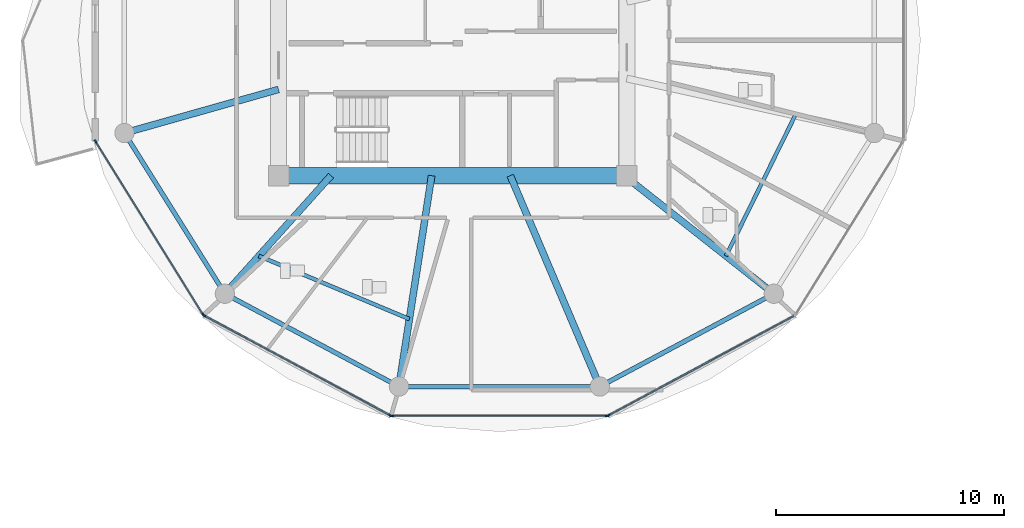
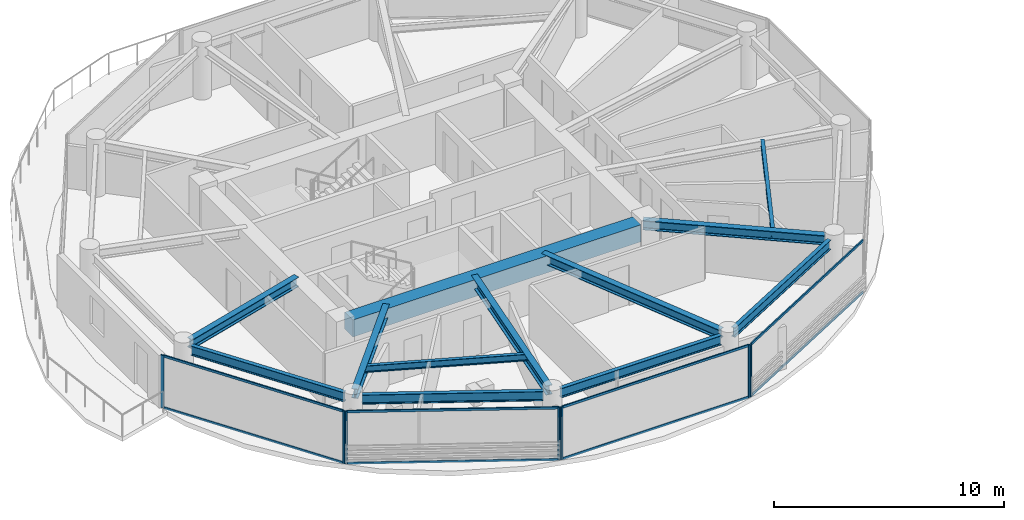
# One storey, part 2 of 25: 15 members, 12 beams, 4 elements without a shape of their own.
"""IFC4 building model written with IfcOpenShell, lengths in metres."""

import ifcopenshell
import ifcopenshell.guid

model = None  # the IFC model being written
_history = None  # IfcOwnerHistory: only IFC2X3 demands one
_inside = {}  # id of a spatial element -> (the spatial element, [elements in it])
_under = {}  # id of a project, library or spatial element -> (it, [spatial elements below it])
_declared = {}  # id of a project -> (the project, [libraries it declares])
_typed = {}  # id of a type object -> (the type object, [elements of that type])
_made_of = {}  # id of a material, layer set ... -> (it, [elements and type objects made of it])


def new_model(schema):
    """Start an empty IFC model of exactly this schema.

    Asked for "IFC4X3", IfcOpenShell would pick the latest addendum, in which some entities
    have other attributes; the version numbers below select the first issue.
    IFC2X3 requires an IfcOwnerHistory on every rooted entity: one is made here for all.
    """
    global model, _history
    if schema == "IFC4X3":
        model = ifcopenshell.file(schema_version=(4, 3, 0, 0))
    else:
        model = ifcopenshell.file(schema=schema)
    _inside.clear()
    _under.clear()
    _declared.clear()
    _typed.clear()
    _made_of.clear()
    _history = None
    if model.schema == "IFC2X3":
        org = make("IfcOrganization", Name="unknown")
        user = make(
            "IfcPersonAndOrganization",
            ThePerson=make("IfcPerson", FamilyName="unknown"),
            TheOrganization=org,
        )
        app = make(
            "IfcApplication",
            ApplicationDeveloper=org,
            Version="unknown",
            ApplicationFullName="unknown",
            ApplicationIdentifier="unknown",
        )
        _history = make(
            "IfcOwnerHistory",
            OwningUser=user,
            OwningApplication=app,
            ChangeAction="ADDED",
            CreationDate=0,
        )
    return model


def make(cls, **values):
    """One entity of the class cls with the attributes given. An attribute that is None is left unset."""
    return model.create_entity(
        cls, **{name: value for name, value in values.items() if value is not None}
    )


def rooted(cls, **values):
    """An entity with a GlobalId (a new one), such as an element, a storey or a relation."""
    return make(cls, GlobalId=ifcopenshell.guid.new(), OwnerHistory=_history, **values)


def si_unit(unit_type, name, prefix=None):
    """IfcSIUnit, for example si_unit("LENGTHUNIT", "METRE", prefix="MILLI")."""
    return make("IfcSIUnit", UnitType=unit_type, Prefix=prefix, Name=name)


def assignment(units):
    """IfcUnitAssignment: the units of a project."""
    return None if units is None else make("IfcUnitAssignment", Units=units)


def point(xyz):
    """IfcCartesianPoint."""
    return None if xyz is None else make("IfcCartesianPoint", Coordinates=xyz)


def direction(xyz):
    """IfcDirection."""
    return None if xyz is None else make("IfcDirection", DirectionRatios=xyz)


def frame(location, z_axis=None, x_axis=None):
    """IfcAxis2Placement3D, a coordinate frame: its origin and axes. An axis left out is left unset."""
    return make(
        "IfcAxis2Placement3D",
        Location=point(location),
        Axis=direction(z_axis),
        RefDirection=direction(x_axis),
    )


def frame_2d(location, x_axis=None):
    """IfcAxis2Placement2D, a coordinate frame in the plane: its origin and x axis."""
    return make(
        "IfcAxis2Placement2D", Location=point(location), RefDirection=direction(x_axis)
    )


def origin():
    """The frame at (0, 0, 0) with its axes left unset."""
    return frame((0.0, 0.0, 0.0))


def origin_2d():
    """The frame at (0, 0) in the plane with its x axis left unset."""
    return frame_2d((0.0, 0.0))


def place(relative_to, where):
    """IfcLocalPlacement: puts the frame where relative to a parent placement (None: the world)."""
    return make(
        "IfcLocalPlacement", PlacementRelTo=relative_to, RelativePlacement=where
    )


def context(
    kind, dimensions, precision=None, world=None, true_north=None, identifier=None
):
    """IfcGeometricRepresentationContext, for example the 3D "Model" context."""
    return make(
        "IfcGeometricRepresentationContext",
        ContextIdentifier=identifier,
        ContextType=kind,
        CoordinateSpaceDimension=dimensions,
        Precision=precision,
        WorldCoordinateSystem=world,
        TrueNorth=true_north,
    )


def subcontext(parent, identifier, kind, view, scale=None):
    """IfcGeometricRepresentationSubContext, for example "Body" below "Model"."""
    return make(
        "IfcGeometricRepresentationSubContext",
        ContextIdentifier=identifier,
        ContextType=kind,
        ParentContext=parent,
        TargetScale=scale,
        TargetView=view,
    )


def project(units=None, contexts=None):
    """IfcProject with its units and contexts."""
    return rooted(
        "IfcProject",
        Name="project",
        RepresentationContexts=contexts,
        UnitsInContext=assignment(units),
    )


def spatial(cls, under=None, at=None, **own):
    """A site, building, storey or space (cls), placed at a placement, below another one or the project."""
    s = rooted(cls, ObjectPlacement=at, **own)
    if under is not None:
        _under.setdefault(under.id(), (under, []))[1].append(s)
    return s


def profile(cls, at=None, kind="AREA", **sizes):
    """A parametric profile (cls). Its sizes go by their IFC names, for example OverallWidth=200.0."""
    return make(cls, ProfileType=kind, Position=at, **sizes)


def rectangle(**sizes):
    """IfcRectangleProfileDef."""
    return profile("IfcRectangleProfileDef", **sizes)


def i_section(**sizes):
    """IfcIShapeProfileDef."""
    return profile("IfcIShapeProfileDef", **sizes)


def extrude(swept, where, along, depth):
    """IfcExtrudedAreaSolid: the profile swept, set in the frame where, extruded along a direction by depth."""
    return make(
        "IfcExtrudedAreaSolid",
        SweptArea=swept,
        Position=where,
        ExtrudedDirection=direction(along),
        Depth=depth,
    )


def shape(context_of_items, identifier, shape_type, items):
    """IfcShapeRepresentation: the items that make up one representation, for example the "Body"."""
    return make(
        "IfcShapeRepresentation",
        ContextOfItems=context_of_items,
        RepresentationIdentifier=identifier,
        RepresentationType=shape_type,
        Items=items,
    )


def source(mapping_origin, context_of_items, identifier, shape_type, items):
    """IfcRepresentationMap: a shape defined once, which mapped items show again and again."""
    return make(
        "IfcRepresentationMap",
        MappingOrigin=mapping_origin,
        MappedRepresentation=shape(context_of_items, identifier, shape_type, items),
    )


def transform(
    local_origin,
    x_axis=None,
    y_axis=None,
    z_axis=None,
    scale=None,
    scale2=None,
    scale3=None,
    uniform=True,
):
    """IfcCartesianTransformationOperator3D, or its non-uniform kind. x_axis, y_axis, z_axis: its Axis1, 2, 3."""
    if uniform:
        return make(
            "IfcCartesianTransformationOperator3D",
            Axis1=direction(x_axis),
            Axis2=direction(y_axis),
            LocalOrigin=point(local_origin),
            Scale=scale,
            Axis3=direction(z_axis),
        )
    return make(
        "IfcCartesianTransformationOperator3DnonUniform",
        Axis1=direction(x_axis),
        Axis2=direction(y_axis),
        LocalOrigin=point(local_origin),
        Scale=scale,
        Axis3=direction(z_axis),
        Scale2=scale2,
        Scale3=scale3,
    )


def mapped(mapping_source, mapping_target):
    """IfcMappedItem: shows the shape of a source again, moved by a transform."""
    return make(
        "IfcMappedItem", MappingSource=mapping_source, MappingTarget=mapping_target
    )


def material(Name=None, Category=None):
    """IfcMaterial."""
    return make("IfcMaterial", Name=Name, Category=Category)


def layer(
    of_material, thickness, ventilated=None, Name=None, Category=None, Priority=None
):
    """IfcMaterialLayer: one layer of a wall or slab, of a material (None: an air gap)."""
    return make(
        "IfcMaterialLayer",
        Material=of_material,
        LayerThickness=thickness,
        IsVentilated=ventilated,
        Name=Name,
        Category=Category,
        Priority=Priority,
    )


def layer_set(layers, Name=None):
    """IfcMaterialLayerSet."""
    return make("IfcMaterialLayerSet", MaterialLayers=layers, LayerSetName=Name)


def material_profile(
    of_material, cross_section, Name=None, Category=None, Priority=None
):
    """IfcMaterialProfile: a cross section and its material."""
    return make(
        "IfcMaterialProfile",
        Name=Name,
        Material=of_material,
        Profile=cross_section,
        Priority=Priority,
        Category=Category,
    )


def profile_set(profiles, Name=None, composite=None):
    """IfcMaterialProfileSet."""
    return make(
        "IfcMaterialProfileSet",
        Name=Name,
        MaterialProfiles=profiles,
        CompositeProfile=composite,
    )


def made_of(thing, what):
    """Note that an element or type object is made of a material, layer set ...; save() writes the relation."""
    if what is not None:
        _made_of.setdefault(what.id(), (what, []))[1].append(thing)
    return thing


def type_object(cls, material=None, **own):
    """A type object (cls), such as IfcWallType, which elements share."""
    return made_of(rooted(cls, **own), material)


def type_shapes(of_type, sources):
    """Give a type object the sources (RepresentationMaps) that its elements show as mapped items."""
    of_type.RepresentationMaps = sources


def element(
    cls,
    number,
    at=None,
    inside=None,
    cuts=None,
    type_object=None,
    material=None,
    context=None,
    identifier="Body",
    shape_type=None,
    held_by="IfcProductDefinitionShape",
    body=None,
    shapes=None,
    **own,
):
    """One element of the class cls, such as IfcWall. Its Tag is "e" and its number.

    at: its placement. inside: the storey or other place that contains it. cuts: it is an
    opening in that element (IfcRelVoidsElement). A single representation is given by context,
    identifier, shape_type and body (its items); several are given by shapes. held_by: the class
    of the entity that holds the representations. save() writes the other relations.
    """
    e = rooted(cls, Tag="e%d" % number, ObjectPlacement=at, **own)
    if body is not None:
        shapes = [shape(context, identifier, shape_type, body)]
    if shapes is not None:
        e.Representation = make(held_by, Representations=shapes)
    if inside is not None:
        _inside.setdefault(inside.id(), (inside, []))[1].append(e)
    if cuts is not None:
        rooted(
            "IfcRelVoidsElement", RelatingBuildingElement=cuts, RelatedOpeningElement=e
        )
    if type_object is not None:
        _typed.setdefault(type_object.id(), (type_object, []))[1].append(e)
    return made_of(e, material)


def aggregate(whole, parts):
    """IfcRelAggregates: a whole, such as a stair, and the parts it consists of."""
    return rooted("IfcRelAggregates", RelatingObject=whole, RelatedObjects=parts)


def save(model, path):
    """Write the relations noted so far, then the file.

    IfcRelAggregates (storeys below a building ...), IfcRelContainedInSpatialStructure (elements
    in a storey), IfcRelDefinesByType, IfcRelAssociatesMaterial and IfcRelDeclares: one each for
    every whole, place, type object, material and project.
    """
    for whole, parts in _under.values():
        aggregate(whole, parts)
    for where, things in _inside.values():
        rooted(
            "IfcRelContainedInSpatialStructure",
            RelatedElements=things,
            RelatingStructure=where,
        )
    for kind, things in _typed.values():
        rooted("IfcRelDefinesByType", RelatedObjects=things, RelatingType=kind)
    for what, things in _made_of.values():
        rooted("IfcRelAssociatesMaterial", RelatedObjects=things, RelatingMaterial=what)
    for by, libraries in _declared.values():
        rooted("IfcRelDeclares", RelatingContext=by, RelatedDefinitions=libraries)
    model.write(path)


model = new_model("IFC4")

# Units and contexts
model_context = context("Model", 3, precision=1e-05, world=origin(), true_north=direction((0.0, 1.0)))
body_context = subcontext(model_context, "Body", "Model", "MODEL_VIEW")
ifc_project = project(units=[si_unit("LENGTHUNIT", "METRE"), si_unit("AREAUNIT", "SQUARE_METRE"), si_unit("VOLUMEUNIT", "CUBIC_METRE"), si_unit("PLANEANGLEUNIT", "RADIAN"), si_unit("MASSUNIT", "GRAM", prefix="KILO")], contexts=[model_context])

# Site, building, storey
site_placement = place(None, origin())
site = spatial("IfcSite", under=ifc_project, at=site_placement, CompositionType="ELEMENT")
building_placement = place(site_placement, origin())
building = spatial("IfcBuilding", under=site, at=building_placement, Name="Norrkilde Senior Care Towers", CompositionType="ELEMENT")
storey_placement = place(building_placement, frame((0.0, 0.0, 84.050048828125)))
storey = spatial("IfcBuildingStorey", under=building, at=storey_placement, Name="L25", CompositionType="ELEMENT", Elevation=84.050048828125)

# Beams
ifc_material_1 = material(Name="Concrete C60/75", Category="concrete")
ifc_material_profile_1 = material_profile(ifc_material_1, rectangle(XDim=0.699951171875, YDim=0.89990234375, at=origin_2d()), Name="RC BM 700x900")
ifc_profile_set_1 = profile_set([ifc_material_profile_1], Name="Concrete C60/75")
beam_type_1 = type_object("IfcBeamType", Name="Core Coupling Girder 700x900", PredefinedType="USERDEFINED", material=ifc_profile_set_1)
shared_shape_1 = source(origin(), body_context, "Body", "SweptSolid", [
    extrude(rectangle(XDim=0.699951171875, YDim=0.89990234375, at=origin_2d()), origin(), (0.0, 0.0, 1.0), 14.43994140625),
])
type_shapes(beam_type_1, [shared_shape_1])
beam_1_placement = place(storey_placement, frame((-35.219970703125, -5.949951171875, 2.33984375), z_axis=(1.0, 0.0, 0.0), x_axis=(0.0, 1.0, 0.0)))
element("IfcBeam", 1, at=beam_1_placement, inside=storey, type_object=beam_type_1, Name="L25 Core W S Coupling Girder", ObjectType="GIRDER", PredefinedType="USERDEFINED", context=body_context, shape_type="MappedRepresentation", body=[
    mapped(shared_shape_1, transform((0.0, 0.0, 0.0), x_axis=(1.0, 0.0, 0.0), y_axis=(0.0, 1.0, 0.0), z_axis=(0.0, 0.0, 1.0), scale=1.0)),
])
ifc_material_2 = material(Name="Steel S355", Category="steel")
ifc_material_profile_2 = material_profile(ifc_material_2, i_section(OverallWidth=0.199951171875, OverallDepth=0.5, WebThickness=0.01025390625, FlangeThickness=0.01611328125, FilletRadius=0.02099609375, at=origin_2d()), Name="IPE 500")
ifc_profile_set_2 = profile_set([ifc_material_profile_2], Name="Steel S355")
beam_type_2 = type_object("IfcBeamType", Name="Perimeter Ring Spandrel Z2 IPE500", PredefinedType="SPANDREL", material=ifc_profile_set_2)
shared_shape_2 = source(origin(), body_context, "Body", "SweptSolid", [
    extrude(i_section(OverallWidth=0.199951171875, OverallDepth=0.5, WebThickness=0.01025390625, FlangeThickness=0.01611328125, FilletRadius=0.02099609375, at=origin_2d()), origin(), (0.0, 0.0, 1.0), 7.892333984375),
])
for number, where, z_axis, x_axis, name in (
    (2, (-37.66650390625, -11.318115234375, 2.5400390625), (0.882350372282, -0.47059305194, 0.0), (0.47059305194, 0.882350372282, 0.0), "L25 Drum W Perimeter Spandrel 08"),
    (3, (-21.197509765625, -15.0322265625, 2.5400390625), (0.882350372282, 0.47059305194, 0.0), (-0.47059305194, 0.882350372282, 0.0), "L25 Drum W Perimeter Spandrel 10"),
):
    element("IfcBeam", number, at=place(storey_placement, frame(where, z_axis=z_axis, x_axis=x_axis)), inside=storey, type_object=beam_type_2, Name=name, PredefinedType="SPANDREL", context=body_context, shape_type="MappedRepresentation", body=[
        mapped(shared_shape_2, transform((0.0, 0.0, 0.0), x_axis=(1.0, 0.0, 0.0), y_axis=(0.0, 1.0, 0.0), z_axis=(0.0, 0.0, 1.0), scale=1.0)),
    ])
ifc_material_profile_3 = material_profile(ifc_material_2, i_section(OverallWidth=0.300048828125, OverallDepth=0.5, WebThickness=0.014404296875, FlangeThickness=0.028076171875, FilletRadius=0.027099609375, at=origin_2d()), Name="HEB 500")
ifc_profile_set_3 = profile_set([ifc_material_profile_3], Name="Steel S355")
beam_type_3 = type_object("IfcBeamType", Name="Radial Floor Beam Z2 HEB500", PredefinedType="BEAM", material=ifc_profile_set_3)
shared_shape_3 = source(origin(), body_context, "Body", "SweptSolid", [
    extrude(i_section(OverallWidth=0.300048828125, OverallDepth=0.5, WebThickness=0.014404296875, FlangeThickness=0.028076171875, FilletRadius=0.027099609375, at=origin_2d()), origin(), (0.0, 0.0, 1.0), 7.985595703125),
])
beam_2_placement = place(storey_placement, frame((-20.463623046875, -5.949951171875, 2.5400390625), z_axis=(0.784858505144, -0.619675017169, 0.0), x_axis=(0.619675017169, 0.784858505144, 0.0)))
element("IfcBeam", 4, at=beam_2_placement, inside=storey, type_object=beam_type_3, Name="L25 Drum W Radial Floor Beam 11", PredefinedType="BEAM", context=body_context, shape_type="MappedRepresentation", body=[
    mapped(shared_shape_3, transform((0.0, 0.0, 0.0), x_axis=(1.0, 0.0, 0.0), y_axis=(0.0, 1.0, 0.0), z_axis=(0.0, 0.0, 1.0), scale=1.0)),
])
shared_shape_4 = source(origin(), body_context, "Body", "SweptSolid", [
    extrude(i_section(OverallWidth=0.199951171875, OverallDepth=0.5, WebThickness=0.01025390625, FlangeThickness=0.01611328125, FilletRadius=0.02099609375, at=origin_2d()), origin(), (0.0, 0.0, 1.0), 8.0556640625),
])
beam_3_placement = place(storey_placement, frame((-29.977783203125, -15.21337890625, 2.5400390625), z_axis=(1.0, 0.0, 0.0), x_axis=(0.0, 1.0, 0.0)))
element("IfcBeam", 5, at=beam_3_placement, inside=storey, type_object=beam_type_2, Name="L25 Drum W Perimeter Spandrel 09", PredefinedType="SPANDREL", context=body_context, shape_type="MappedRepresentation", body=[
    mapped(shared_shape_4, transform((0.0, 0.0, 0.0), x_axis=(1.0, 0.0, 0.0), y_axis=(0.0, 1.0, 0.0), z_axis=(0.0, 0.0, 1.0), scale=1.0)),
])
shared_shape_5 = source(origin(), body_context, "Body", "SweptSolid", [
    extrude(i_section(OverallWidth=0.300048828125, OverallDepth=0.5, WebThickness=0.014404296875, FlangeThickness=0.028076171875, FilletRadius=0.027099609375, at=origin_2d()), origin(), (0.0, 0.0, 1.0), 9.679443359375),
])
beam_4_placement = place(storey_placement, frame((-25.472412109375, -5.949951171875, 2.5400390625), z_axis=(0.390998033479, -0.920391513333, 0.0), x_axis=(0.920391513333, 0.390998033479, 0.0)))
element("IfcBeam", 6, at=beam_4_placement, inside=storey, type_object=beam_type_3, Name="L25 Drum W Radial Floor Beam 10", PredefinedType="BEAM", context=body_context, shape_type="MappedRepresentation", body=[
    mapped(shared_shape_5, transform((0.0, 0.0, 0.0), x_axis=(1.0, 0.0, 0.0), y_axis=(0.0, 1.0, 0.0), z_axis=(0.0, 0.0, 1.0), scale=1.0)),
])
shared_shape_6 = source(origin(), body_context, "Body", "SweptSolid", [
    extrude(i_section(OverallWidth=0.300048828125, OverallDepth=0.5, WebThickness=0.014404296875, FlangeThickness=0.028076171875, FilletRadius=0.027099609375, at=origin_2d()), origin(), (0.0, 0.0, 1.0), 8.989501953125),
])
beam_5_placement = place(storey_placement, frame((-28.924072265625, -5.949951171875, 2.5400390625), z_axis=(-0.153471298636, -0.988153105796, 0.0), x_axis=(0.988153105796, -0.153471298636, 0.0)))
element("IfcBeam", 7, at=beam_5_placement, inside=storey, type_object=beam_type_3, Name="L25 Drum W Radial Floor Beam 09", PredefinedType="BEAM", context=body_context, shape_type="MappedRepresentation", body=[
    mapped(shared_shape_6, transform((0.0, 0.0, 0.0), x_axis=(1.0, 0.0, 0.0), y_axis=(0.0, 1.0, 0.0), z_axis=(0.0, 0.0, 1.0), scale=1.0)),
])
shared_shape_7 = source(origin(), body_context, "Body", "SweptSolid", [
    extrude(i_section(OverallWidth=0.199951171875, OverallDepth=0.5, WebThickness=0.01025390625, FlangeThickness=0.01611328125, FilletRadius=0.02099609375, at=origin_2d()), origin(), (0.0, 0.0, 1.0), 7.556396484375),
])
type_shapes(beam_type_2, [shared_shape_2, shared_shape_4, shared_shape_7])
beam_6_placement = place(storey_placement, frame((-42.215087890625, -4.40283203125, 2.5400390625), z_axis=(0.530004748437, -0.847994673706, 0.0), x_axis=(0.847994673706, 0.530004748437, 0.0)))
element("IfcBeam", 8, at=beam_6_placement, inside=storey, type_object=beam_type_2, Name="L25 Drum W Perimeter Spandrel 07", PredefinedType="SPANDREL", context=body_context, shape_type="MappedRepresentation", body=[
    mapped(shared_shape_7, transform((0.0, 0.0, 0.0), x_axis=(1.0, 0.0, 0.0), y_axis=(0.0, 1.0, 0.0), z_axis=(0.0, 0.0, 1.0), scale=1.0)),
])
shared_shape_8 = source(origin(), body_context, "Body", "SweptSolid", [
    extrude(i_section(OverallWidth=0.300048828125, OverallDepth=0.5, WebThickness=0.014404296875, FlangeThickness=0.028076171875, FilletRadius=0.027099609375, at=origin_2d()), origin(), (0.0, 0.0, 1.0), 6.587890625),
])
beam_7_placement = place(storey_placement, frame((-33.345947265625, -5.949951171875, 2.5400390625), z_axis=(-0.668315438605, -0.743877997068, 0.0), x_axis=(0.743877997068, -0.668315438605, 0.0)))
element("IfcBeam", 9, at=beam_7_placement, inside=storey, type_object=beam_type_3, Name="L25 Drum W Radial Floor Beam 08", PredefinedType="BEAM", context=body_context, shape_type="MappedRepresentation", body=[
    mapped(shared_shape_8, transform((0.0, 0.0, 0.0), x_axis=(1.0, 0.0, 0.0), y_axis=(0.0, 1.0, 0.0), z_axis=(0.0, 0.0, 1.0), scale=1.0)),
])
shared_shape_9 = source(origin(), body_context, "Body", "SweptSolid", [
    extrude(i_section(OverallWidth=0.300048828125, OverallDepth=0.5, WebThickness=0.014404296875, FlangeThickness=0.028076171875, FilletRadius=0.027099609375, at=origin_2d()), origin(), (0.0, 0.0, 1.0), 6.6494140625),
])
type_shapes(beam_type_3, [shared_shape_3, shared_shape_5, shared_shape_6, shared_shape_8, shared_shape_9])
beam_8_placement = place(storey_placement, frame((-35.64990234375, -2.162841796875, 2.5400390625), z_axis=(-0.962289138357, -0.27202870106, 0.0), x_axis=(0.27202870106, -0.962289138357, 0.0)))
element("IfcBeam", 10, at=beam_8_placement, inside=storey, type_object=beam_type_3, Name="L25 Drum W Radial Floor Beam 07", PredefinedType="BEAM", context=body_context, shape_type="MappedRepresentation", body=[
    mapped(shared_shape_9, transform((0.0, 0.0, 0.0), x_axis=(1.0, 0.0, 0.0), y_axis=(0.0, 1.0, 0.0), z_axis=(0.0, 0.0, 1.0), scale=1.0)),
])
ifc_material_profile_4 = material_profile(ifc_material_2, i_section(OverallWidth=0.169921875, OverallDepth=0.360107421875, WebThickness=0.008056640625, FlangeThickness=0.0126953125, FilletRadius=0.01806640625, at=origin_2d()), Name="IPE 360")
ifc_profile_set_4 = profile_set([ifc_material_profile_4], Name="Steel S355")
beam_type_4 = type_object("IfcBeamType", Name="Secondary Floor Joist IPE360", PredefinedType="JOIST", material=ifc_profile_set_4)
shared_shape_10 = source(origin(), body_context, "Body", "SweptSolid", [
    extrude(i_section(OverallWidth=0.169921875, OverallDepth=0.360107421875, WebThickness=0.008056640625, FlangeThickness=0.0126953125, FilletRadius=0.01806640625, at=origin_2d()), origin(), (0.0, 0.0, 1.0), 7.169921875),
])
beam_9_placement = place(storey_placement, frame((-36.514892578125, -9.47705078125, 2.60986328125), z_axis=(0.922240600393, -0.386616444279, 0.0), x_axis=(0.386616444279, 0.922240600393, 0.0)))
element("IfcBeam", 11, at=beam_9_placement, inside=storey, type_object=beam_type_4, Name="L25 Drum W Secondary Floor Joist 3", PredefinedType="JOIST", context=body_context, shape_type="MappedRepresentation", body=[
    mapped(shared_shape_10, transform((0.0, 0.0, 0.0), x_axis=(1.0, 0.0, 0.0), y_axis=(0.0, 1.0, 0.0), z_axis=(0.0, 0.0, 1.0), scale=1.0)),
])
shared_shape_11 = source(origin(), body_context, "Body", "SweptSolid", [
    extrude(i_section(OverallWidth=0.169921875, OverallDepth=0.360107421875, WebThickness=0.008056640625, FlangeThickness=0.0126953125, FilletRadius=0.01806640625, at=origin_2d()), origin(), (0.0, 0.0, 1.0), 6.87353515625),
])
type_shapes(beam_type_4, [shared_shape_10, shared_shape_11])
beam_10_placement = place(storey_placement, frame((-15.99609375, -9.47705078125, 2.60986328125), z_axis=(0.44184939592, 0.897089243791, 0.0), x_axis=(-0.897089243791, 0.44184939592, 0.0)))
element("IfcBeam", 12, at=beam_10_placement, inside=storey, type_object=beam_type_4, Name="L25 Drum W Secondary Floor Joist 4", PredefinedType="JOIST", context=body_context, shape_type="MappedRepresentation", body=[
    mapped(shared_shape_11, transform((0.0, 0.0, 0.0), x_axis=(1.0, 0.0, 0.0), y_axis=(0.0, 1.0, 0.0), z_axis=(0.0, 0.0, 1.0), scale=1.0)),
])

# Curtain wall, members
ifc_material_3 = material(Name="Triple Low-E Insulated Glazing", Category="glass")
ifc_layer = layer(ifc_material_3, 0.195068359375)
ifc_layer_set = layer_set([ifc_layer], Name="Triple Low-E Insulated Glazing")
curtain_wall_type = type_object("IfcCurtainWallType", Name="CW3 Zone 2 Assisted Living Curtain Wall", PredefinedType="NOTDEFINED", material=ifc_layer_set)
curtain_wall_1_placement = place(storey_placement, origin())
curtain_wall_1 = element("IfcCurtainWall", 13, at=curtain_wall_1_placement, inside=storey, type_object=curtain_wall_type, Name="L25 Drum W Curtain Wall 06", PredefinedType="NOTDEFINED")
ifc_material_4 = material(Name="Anodised Aluminium", Category="aluminium")
ifc_material_profile_5 = material_profile(ifc_material_4, rectangle(XDim=0.06494140625, YDim=0.159912109375, at=origin_2d()), Name="ALU MULL 65x160")
ifc_profile_set_5 = profile_set([ifc_material_profile_5], Name="Anodised Aluminium")
member_type_1 = type_object("IfcMemberType", Name="Curtain Wall Mullion Z1-Z2 65x160", PredefinedType="MULLION", material=ifc_profile_set_5)
shared_shape_12 = source(origin(), body_context, "Body", "SweptSolid", [
    extrude(rectangle(XDim=0.06494140625, YDim=0.159912109375, at=origin_2d()), origin(), (0.0, 0.0, 1.0), 2.7900390625),
])
type_shapes(member_type_1, [shared_shape_12])
member_1_placement = place(storey_placement, frame((-38.9638671875, -12.0498046875, 0.0), z_axis=(0.0, 0.0, 1.0), x_axis=(-0.849410171862, -0.527733228002, 0.0)))
member_1 = element("IfcMember", 14, at=member_1_placement, type_object=member_type_1, Name="CW-3 mullion 1", PredefinedType="MULLION", context=body_context, shape_type="MappedRepresentation", body=[
    mapped(shared_shape_12, transform((0.0, 0.0, 0.0), x_axis=(1.0, 0.0, 0.0), y_axis=(0.0, 1.0, 0.0), z_axis=(0.0, 0.0, 1.0), scale=1.0)),
])
member_2_placement = place(storey_placement, frame((-43.6865234375, -4.4482421875, 0.0), z_axis=(0.0, 0.0, 1.0), x_axis=(-0.849410171862, -0.527733228002, 0.0)))
member_2 = element("IfcMember", 15, at=member_2_placement, type_object=member_type_1, Name="CW-3 mullion 2", PredefinedType="MULLION", context=body_context, shape_type="MappedRepresentation", body=[
    mapped(shared_shape_12, transform((0.0, 0.0, 0.0), x_axis=(1.0, 0.0, 0.0), y_axis=(0.0, 1.0, 0.0), z_axis=(0.0, 0.0, 1.0), scale=1.0)),
])

curtain_wall_2_placement = place(storey_placement, origin())
curtain_wall_2 = element("IfcCurtainWall", 16, at=curtain_wall_2_placement, inside=storey, type_object=curtain_wall_type, Name="L25 Drum W Curtain Wall 07", PredefinedType="NOTDEFINED")
member_3_placement = place(storey_placement, frame((-30.73583984375, -16.482666015625, 0.0), z_axis=(0.0, 0.0, 1.0), x_axis=(-0.472769402511, -0.881186184668, 0.0)))
member_3 = element("IfcMember", 17, at=member_3_placement, type_object=member_type_1, Name="CW-3 mullion 1", PredefinedType="MULLION", context=body_context, shape_type="MappedRepresentation", body=[
    mapped(shared_shape_12, transform((0.0, 0.0, 0.0), x_axis=(1.0, 0.0, 0.0), y_axis=(0.0, 1.0, 0.0), z_axis=(0.0, 0.0, 1.0), scale=1.0)),
])
member_4_placement = place(storey_placement, frame((-38.91796875, -12.0927734375, 0.0), z_axis=(0.0, 0.0, 1.0), x_axis=(-0.472769402511, -0.881186184668, 0.0)))
member_4 = element("IfcMember", 18, at=member_4_placement, type_object=member_type_1, Name="CW-3 mullion 2", PredefinedType="MULLION", context=body_context, shape_type="MappedRepresentation", body=[
    mapped(shared_shape_12, transform((0.0, 0.0, 0.0), x_axis=(1.0, 0.0, 0.0), y_axis=(0.0, 1.0, 0.0), z_axis=(0.0, 0.0, 1.0), scale=1.0)),
])

curtain_wall_3_placement = place(storey_placement, origin())
curtain_wall_3 = element("IfcCurtainWall", 19, at=curtain_wall_3_placement, inside=storey, type_object=curtain_wall_type, Name="L25 Drum W Curtain Wall 08", PredefinedType="NOTDEFINED")
member_5_placement = place(storey_placement, frame((-21.225341796875, -16.498046875, 0.0), z_axis=(0.0, 0.0, 1.0), x_axis=(0.0, -1.0, 0.0)))
member_5 = element("IfcMember", 20, at=member_5_placement, type_object=member_type_1, Name="CW-3 mullion 1", PredefinedType="MULLION", context=body_context, shape_type="MappedRepresentation", body=[
    mapped(shared_shape_12, transform((0.0, 0.0, 0.0), x_axis=(1.0, 0.0, 0.0), y_axis=(0.0, 1.0, 0.0), z_axis=(0.0, 0.0, 1.0), scale=1.0)),
])
member_6_placement = place(storey_placement, frame((-30.674560546875, -16.498046875, 0.0), z_axis=(0.0, 0.0, 1.0), x_axis=(0.0, -1.0, 0.0)))
member_6 = element("IfcMember", 21, at=member_6_placement, type_object=member_type_1, Name="CW-3 mullion 2", PredefinedType="MULLION", context=body_context, shape_type="MappedRepresentation", body=[
    mapped(shared_shape_12, transform((0.0, 0.0, 0.0), x_axis=(1.0, 0.0, 0.0), y_axis=(0.0, 1.0, 0.0), z_axis=(0.0, 0.0, 1.0), scale=1.0)),
])

# Curtain wall, member
curtain_wall_4_placement = place(storey_placement, origin())
curtain_wall_4 = element("IfcCurtainWall", 22, at=curtain_wall_4_placement, inside=storey, type_object=curtain_wall_type, Name="L25 Drum W Curtain Wall 09", PredefinedType="NOTDEFINED")
member_7_placement = place(storey_placement, frame((-21.164306640625, -16.482666015625, 0.0), z_axis=(0.0, 0.0, 1.0), x_axis=(0.472769402511, -0.881186184668, 0.0)))
member_7 = element("IfcMember", 23, at=member_7_placement, type_object=member_type_1, Name="CW-3 mullion 2", PredefinedType="MULLION", context=body_context, shape_type="MappedRepresentation", body=[
    mapped(shared_shape_12, transform((0.0, 0.0, 0.0), x_axis=(1.0, 0.0, 0.0), y_axis=(0.0, 1.0, 0.0), z_axis=(0.0, 0.0, 1.0), scale=1.0)),
])

# Member
ifc_material_profile_6 = material_profile(ifc_material_4, rectangle(XDim=0.06005859375, YDim=0.1201171875, at=origin_2d()), Name="ALU TRAN 60x120")
ifc_profile_set_6 = profile_set([ifc_material_profile_6], Name="Anodised Aluminium")
member_type_2 = type_object("IfcMemberType", Name="Curtain Wall Transom Typical 60x120", PredefinedType="USERDEFINED", material=ifc_profile_set_6)
shared_shape_13 = source(origin(), body_context, "Body", "SweptSolid", [
    extrude(rectangle(XDim=0.06005859375, YDim=0.1201171875, at=origin_2d()), origin(), (0.0, 0.0, 1.0), 8.88427734375),
])
member_8_placement = place(storey_placement, frame((-38.98095703125, -12.022216796875, 0.030029296875), z_axis=(-0.527729466743, 0.849412508697, 0.0), x_axis=(-0.849412508697, -0.527729466743, 0.0)))
member_8 = element("IfcMember", 24, at=member_8_placement, type_object=member_type_2, Name="CW-3 transom 1.1", ObjectType="TRANSOM", PredefinedType="USERDEFINED", context=body_context, shape_type="MappedRepresentation", body=[
    mapped(shared_shape_13, transform((0.0, 0.0, 0.0), x_axis=(1.0, 0.0, 0.0), y_axis=(0.0, 1.0, 0.0), z_axis=(0.0, 0.0, 1.0), scale=1.0)),
])

member_9_placement = place(storey_placement, frame((-38.98095703125, -12.022216796875, 2.760009765625), z_axis=(-0.527729466743, 0.849412508697, 0.0), x_axis=(-0.849412508697, -0.527729466743, 0.0)))
member_9 = element("IfcMember", 25, at=member_9_placement, type_object=member_type_2, Name="CW-3 transom 1.2", ObjectType="TRANSOM", PredefinedType="USERDEFINED", context=body_context, shape_type="MappedRepresentation", body=[
    mapped(shared_shape_13, transform((0.0, 0.0, 0.0), x_axis=(1.0, 0.0, 0.0), y_axis=(0.0, 1.0, 0.0), z_axis=(0.0, 0.0, 1.0), scale=1.0)),
])

aggregate(curtain_wall_1, [member_1, member_2, member_8, member_9])

shared_shape_14 = source(origin(), body_context, "Body", "SweptSolid", [
    extrude(rectangle(XDim=0.06005859375, YDim=0.1201171875, at=origin_2d()), origin(), (0.0, 0.0, 1.0), 9.220458984375),
])
member_10_placement = place(storey_placement, frame((-30.764404296875, -16.46728515625, 0.030029296875), z_axis=(-0.881188517866, 0.472765053681, 0.0), x_axis=(-0.472765053681, -0.881188517866, 0.0)))
member_10 = element("IfcMember", 26, at=member_10_placement, type_object=member_type_2, Name="CW-3 transom 1.1", ObjectType="TRANSOM", PredefinedType="USERDEFINED", context=body_context, shape_type="MappedRepresentation", body=[
    mapped(shared_shape_14, transform((0.0, 0.0, 0.0), x_axis=(1.0, 0.0, 0.0), y_axis=(0.0, 1.0, 0.0), z_axis=(0.0, 0.0, 1.0), scale=1.0)),
])

member_11_placement = place(storey_placement, frame((-30.764404296875, -16.46728515625, 2.760009765625), z_axis=(-0.881188517866, 0.472765053681, 0.0), x_axis=(-0.472765053681, -0.881188517866, 0.0)))
member_11 = element("IfcMember", 27, at=member_11_placement, type_object=member_type_2, Name="CW-3 transom 1.2", ObjectType="TRANSOM", PredefinedType="USERDEFINED", context=body_context, shape_type="MappedRepresentation", body=[
    mapped(shared_shape_14, transform((0.0, 0.0, 0.0), x_axis=(1.0, 0.0, 0.0), y_axis=(0.0, 1.0, 0.0), z_axis=(0.0, 0.0, 1.0), scale=1.0)),
])

aggregate(curtain_wall_2, [member_3, member_4, member_10, member_11])

member_12_placement = place(storey_placement, frame((-13.0107421875, -12.108154296875, 0.030029296875), z_axis=(-0.881188517866, -0.472765053681, 0.0), x_axis=(0.472765053681, -0.881188517866, 0.0)))
member_12 = element("IfcMember", 28, at=member_12_placement, type_object=member_type_2, Name="CW-3 transom 1.1", ObjectType="TRANSOM", PredefinedType="USERDEFINED", context=body_context, shape_type="MappedRepresentation", body=[
    mapped(shared_shape_14, transform((0.0, 0.0, 0.0), x_axis=(1.0, 0.0, 0.0), y_axis=(0.0, 1.0, 0.0), z_axis=(0.0, 0.0, 1.0), scale=1.0)),
])

member_13_placement = place(storey_placement, frame((-13.0107421875, -12.108154296875, 2.760009765625), z_axis=(-0.881188517866, -0.472765053681, 0.0), x_axis=(0.472765053681, -0.881188517866, 0.0)))
member_13 = element("IfcMember", 29, at=member_13_placement, type_object=member_type_2, Name="CW-3 transom 1.2", ObjectType="TRANSOM", PredefinedType="USERDEFINED", context=body_context, shape_type="MappedRepresentation", body=[
    mapped(shared_shape_14, transform((0.0, 0.0, 0.0), x_axis=(1.0, 0.0, 0.0), y_axis=(0.0, 1.0, 0.0), z_axis=(0.0, 0.0, 1.0), scale=1.0)),
])

aggregate(curtain_wall_4, [member_7, member_12, member_13])

shared_shape_15 = source(origin(), body_context, "Body", "SweptSolid", [
    extrude(rectangle(XDim=0.06005859375, YDim=0.1201171875, at=origin_2d()), origin(), (0.0, 0.0, 1.0), 9.38427734375),
])
type_shapes(member_type_2, [shared_shape_13, shared_shape_14, shared_shape_15])
member_14_placement = place(storey_placement, frame((-21.2578125, -16.498046875, 0.030029296875), z_axis=(-1.0, 0.0, 0.0), x_axis=(0.0, -1.0, 0.0)))
member_14 = element("IfcMember", 30, at=member_14_placement, type_object=member_type_2, Name="CW-3 transom 1.1", ObjectType="TRANSOM", PredefinedType="USERDEFINED", context=body_context, shape_type="MappedRepresentation", body=[
    mapped(shared_shape_15, transform((0.0, 0.0, 0.0), x_axis=(1.0, 0.0, 0.0), y_axis=(0.0, 1.0, 0.0), z_axis=(0.0, 0.0, 1.0), scale=1.0)),
])

member_15_placement = place(storey_placement, frame((-21.2578125, -16.498046875, 2.760009765625), z_axis=(-1.0, 0.0, 0.0), x_axis=(0.0, -1.0, 0.0)))
member_15 = element("IfcMember", 31, at=member_15_placement, type_object=member_type_2, Name="CW-3 transom 1.2", ObjectType="TRANSOM", PredefinedType="USERDEFINED", context=body_context, shape_type="MappedRepresentation", body=[
    mapped(shared_shape_15, transform((0.0, 0.0, 0.0), x_axis=(1.0, 0.0, 0.0), y_axis=(0.0, 1.0, 0.0), z_axis=(0.0, 0.0, 1.0), scale=1.0)),
])

aggregate(curtain_wall_3, [member_5, member_6, member_14, member_15])

save(model, "model.ifc")
